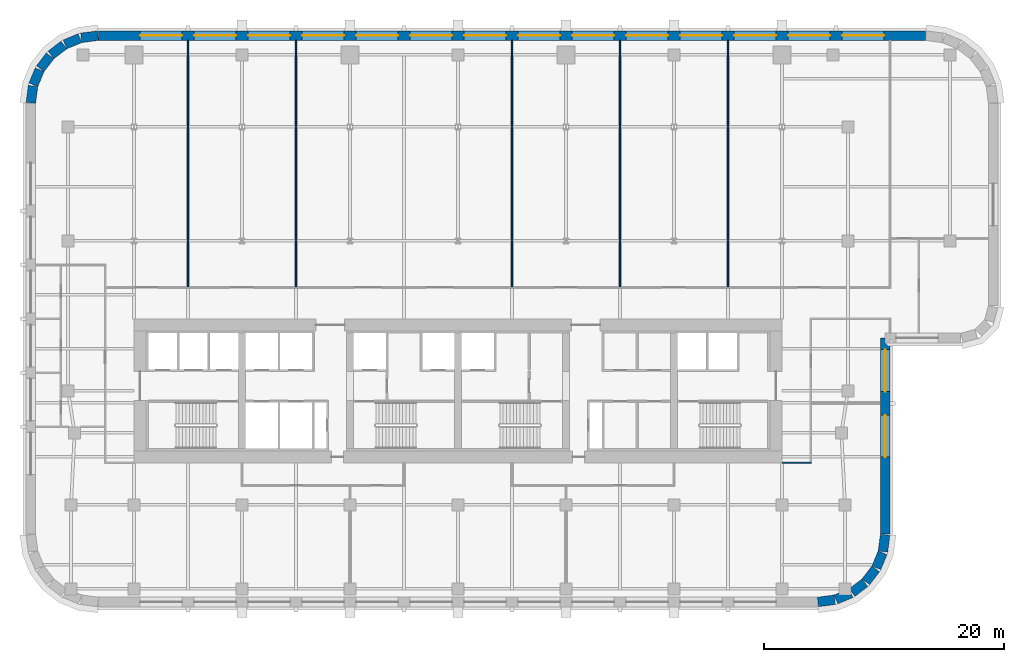
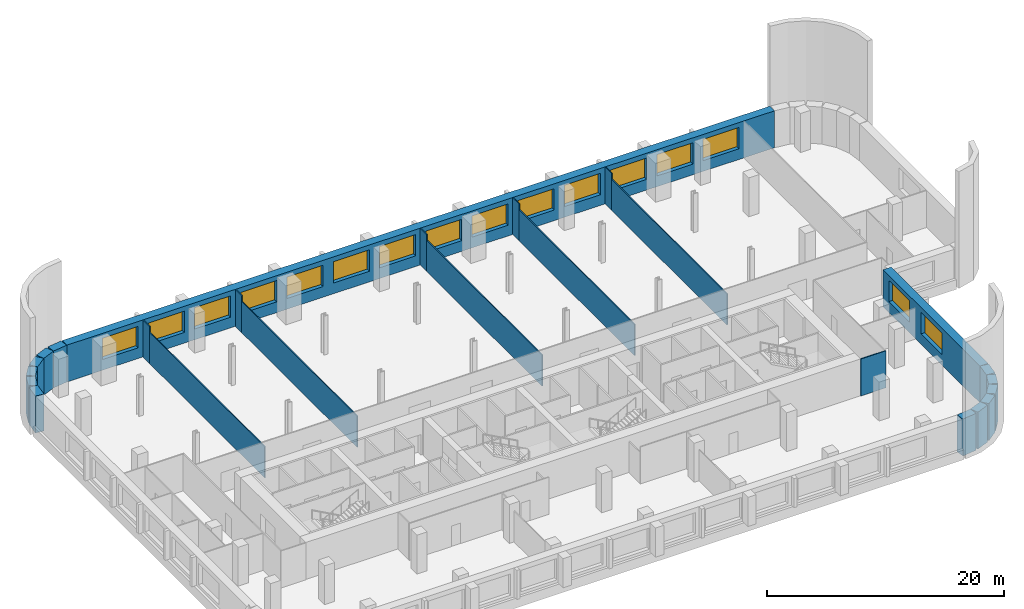
# One storey, part 6 of 9: 25 walls, 16 windows, 16 openings.
"""IFC4 building model written with IfcOpenShell, lengths in metres."""

from ifc_helpers import new_model, si_unit, direction, frame, frame_2d, origin, place, context, subcontext, project, spatial, rectangle, extrude, material, layer, layer_set, type_object, element, fill, save


model = new_model("IFC4")

# Units and contexts
model_context = context("Model", 3, precision=1e-05, world=origin(), true_north=direction((0.0, 1.0)))
body_context = subcontext(model_context, "Body", "Model", "MODEL_VIEW")
ifc_project = project(units=[si_unit("LENGTHUNIT", "METRE"), si_unit("AREAUNIT", "SQUARE_METRE"), si_unit("VOLUMEUNIT", "CUBIC_METRE"), si_unit("PLANEANGLEUNIT", "RADIAN"), si_unit("MASSUNIT", "GRAM", prefix="KILO")], contexts=[model_context])

# Site, building, storey
site_placement = place(None, origin())
site = spatial("IfcSite", under=ifc_project, at=site_placement, CompositionType="ELEMENT")
building_placement = place(site_placement, origin())
building = spatial("IfcBuilding", under=site, at=building_placement, Name="Zellij Exchange Tower", CompositionType="ELEMENT")
storey_placement = place(building_placement, frame((0.0, 0.0, 132.5)))
storey = spatial("IfcBuildingStorey", under=building, at=storey_placement, Name="L29", CompositionType="ELEMENT", Elevation=132.5)

# Walls
ifc_material_1 = material(Name="Precast concrete C40/50", Category="concrete")
ifc_layer_1 = layer(ifc_material_1, 0.800048828125)
ifc_layer_set_1 = layer_set([ifc_layer_1], Name="Precast concrete C40/50")
wall_type_1 = type_object("IfcWallType", Name="ENV-EW1 Precast stone-piered wall 800", PredefinedType="SOLIDWALL", material=ifc_layer_set_1)
wall_1_placement = place(storey_placement, frame((29.999755859375, -25.5966796875, 0.0), z_axis=(0.0, 0.0, 1.0), x_axis=(0.99144603414, 0.130517283865, 0.0)))
element("IfcWall", 1, at=wall_1_placement, inside=storey, type_object=wall_type_1, Name="fac.L29.01", PredefinedType="SOLIDWALL", context=body_context, shape_type="SweptSolid", body=[
    extrude(rectangle(XDim=1.408447265625, YDim=0.800048828125, at=frame_2d((0.7041015625, 0.0))), origin(), (0.0, 0.0, 1.0), 3.800048828125),
])
wall_2_placement = place(storey_placement, frame((31.497314453125, -25.3857421875, 0.0), z_axis=(0.0, 0.0, 1.0), x_axis=(0.923847774587, 0.38276009378, 0.0)))
element("IfcWall", 2, at=wall_2_placement, inside=storey, type_object=wall_type_1, Name="fac.L29.02", PredefinedType="SOLIDWALL", context=body_context, shape_type="SweptSolid", body=[
    extrude(rectangle(XDim=1.35546875, YDim=0.800048828125, at=frame_2d((0.677734375, 0.0))), origin(), (0.0, 0.0, 1.0), 3.800048828125),
])
for number, where, z_axis, x_axis, name in (
    (3, (32.840087890625, -24.814697265625, 0.0), (0.0, 0.0, 1.0), (0.793272915452, 0.608866226366, 0.0), "fac.L29.03"),
    (4, (33.9892578125, -23.91552734375, 0.0), (0.0, 0.0, 1.0), (0.608866226366, 0.793272915452, 0.0), "fac.L29.04"),
):
    element("IfcWall", number, at=place(storey_placement, frame(where, z_axis=z_axis, x_axis=x_axis)), inside=storey, type_object=wall_type_1, Name=name, PredefinedType="SOLIDWALL", context=body_context, shape_type="SweptSolid", body=[
        extrude(rectangle(XDim=1.355712890625, YDim=0.800048828125, at=frame_2d((0.677734375, 0.0))), origin(), (0.0, 0.0, 1.0), 3.800048828125),
    ])
wall_3_placement = place(storey_placement, frame((34.866943359375, -22.74951171875, 0.0), z_axis=(0.0, 0.0, 1.0), x_axis=(0.38276009378, 0.923847774587, 0.0)))
element("IfcWall", 5, at=wall_3_placement, inside=storey, type_object=wall_type_1, Name="fac.L29.05", PredefinedType="SOLIDWALL", context=body_context, shape_type="SweptSolid", body=[
    extrude(rectangle(XDim=1.35546875, YDim=0.800048828125, at=frame_2d((0.677734375, 0.0))), origin(), (0.0, 0.0, 1.0), 3.800048828125),
])
wall_4_placement = place(storey_placement, frame((35.412841796875, -21.396240234375, 0.0), z_axis=(0.0, 0.0, 1.0), x_axis=(0.130517283865, 0.99144603414, 0.0)))
element("IfcWall", 6, at=wall_4_placement, inside=storey, type_object=wall_type_1, Name="fac.L29.06", PredefinedType="SOLIDWALL", context=body_context, shape_type="SweptSolid", body=[
    extrude(rectangle(XDim=1.408447265625, YDim=0.800048828125, at=frame_2d((0.7041015625, 0.0))), origin(), (0.0, 0.0, 1.0), 3.800048828125),
])

# Wall, openings, windows
wall_5_placement = place(storey_placement, frame((35.60009765625, -19.947509765625, 0.0), z_axis=(0.0, 0.0, 1.0), x_axis=(0.0, 1.0, 0.0)))
wall_5 = element("IfcWall", 7, at=wall_5_placement, inside=storey, type_object=wall_type_1, Name="fac.L29.07", PredefinedType="SOLIDWALL", context=body_context, shape_type="SweptSolid", body=[
    extrude(rectangle(XDim=16.347412109375, YDim=0.800048828125, at=frame_2d((8.173828125, 0.0))), origin(), (0.0, 0.0, 1.0), 3.800048828125),
])
opening_1_placement = place(wall_5_placement, frame((6.41064453125, 0.0, 1.10009765625)))
opening_1 = element("IfcOpeningElement", 8, at=opening_1_placement, cuts=wall_5, Name="Opening FZ2.13", PredefinedType="OPENING", context=body_context, shape_type="SweptSolid", body=[
    extrude(rectangle(XDim=3.5, YDim=2.199951171875, at=frame_2d((1.75, 1.10009765625))), frame((0.0, 0.412109375, 0.0), z_axis=(0.0, -1.0, 0.0), x_axis=(1.0, 0.0, 0.0)), (0.0, 0.0, 1.0), 0.823974609375),
])
opening_2_placement = place(wall_5_placement, frame((11.86865234375, 0.0, 1.10009765625)))
opening_2 = element("IfcOpeningElement", 9, at=opening_2_placement, cuts=wall_5, Name="Opening FZ2.14", PredefinedType="OPENING", context=body_context, shape_type="SweptSolid", body=[
    extrude(rectangle(XDim=3.5, YDim=2.199951171875, at=frame_2d((1.75, 1.10009765625))), frame((0.0, 0.412109375, 0.0), z_axis=(0.0, -1.0, 0.0), x_axis=(1.0, 0.0, 0.0)), (0.0, 0.0, 1.0), 0.823974609375),
])
ifc_material_2 = material(Name="Aluminium frame with insulating glass", Category="aluminium")
window_type = type_object("IfcWindowType", Name="ENV-W7 Window 3500x2200", PartitioningType="SINGLE_PANEL", PredefinedType="WINDOW", material=ifc_material_2)
window_1_placement = place(opening_1_placement, origin())
window_1 = element("IfcWindow", 10, at=window_1_placement, inside=storey, type_object=window_type, Name="Window FZ2.13", OverallHeight=2.199951171875, OverallWidth=3.5, PartitioningType="SINGLE_PANEL", PredefinedType="WINDOW", context=body_context, shape_type="SweptSolid", body=[
    extrude(rectangle(XDim=3.5, YDim=2.199951171875, at=frame_2d((1.75, 1.10009765625))), frame((0.0, 0.030029296875, 0.0), z_axis=(0.0, -1.0, 0.0), x_axis=(1.0, 0.0, 0.0)), (0.0, 0.0, 1.0), 0.06005859375),
])
fill(opening_1, window_1)
window_2_placement = place(opening_2_placement, origin())
window_2 = element("IfcWindow", 11, at=window_2_placement, inside=storey, type_object=window_type, Name="Window FZ2.14", OverallHeight=2.199951171875, OverallWidth=3.5, PartitioningType="SINGLE_PANEL", PredefinedType="WINDOW", context=body_context, shape_type="SweptSolid", body=[
    extrude(rectangle(XDim=3.5, YDim=2.199951171875, at=frame_2d((1.75, 1.10009765625))), frame((0.0, 0.030029296875, 0.0), z_axis=(0.0, -1.0, 0.0), x_axis=(1.0, 0.0, 0.0)), (0.0, 0.0, 1.0), 0.06005859375),
])
fill(opening_2, window_2)

wall_6_placement = place(storey_placement, frame((38.947509765625, 21.60009765625, 0.0), z_axis=(0.0, 0.0, 1.0), x_axis=(-1.0, 0.0, 0.0)))
wall_6 = element("IfcWall", 12, at=wall_6_placement, inside=storey, type_object=wall_type_1, Name="fac.L29.19", PredefinedType="SOLIDWALL", context=body_context, shape_type="SweptSolid", body=[
    extrude(rectangle(XDim=68.89501953125, YDim=0.800048828125, at=frame_2d((34.447509765625, 0.0))), origin(), (0.0, 0.0, 1.0), 3.800048828125),
])
opening_3_placement = place(wall_6_placement, frame((3.447509765625, 0.0, 1.10009765625)))
opening_3 = element("IfcOpeningElement", 13, at=opening_3_placement, cuts=wall_6, Name="Opening FZ2.17", PredefinedType="OPENING", context=body_context, shape_type="SweptSolid", body=[
    extrude(rectangle(XDim=3.5, YDim=2.199951171875, at=frame_2d((1.75, 1.10009765625))), frame((0.0, 0.412109375, 0.0), z_axis=(0.0, -1.0, 0.0), x_axis=(1.0, 0.0, 0.0)), (0.0, 0.0, 1.0), 0.823974609375),
])
opening_4_placement = place(wall_6_placement, frame((7.947509765625, 0.0, 1.10009765625)))
opening_4 = element("IfcOpeningElement", 14, at=opening_4_placement, cuts=wall_6, Name="Opening FZ2.18", PredefinedType="OPENING", context=body_context, shape_type="SweptSolid", body=[
    extrude(rectangle(XDim=3.5, YDim=2.199951171875, at=frame_2d((1.75, 1.10009765625))), frame((0.0, 0.412109375, 0.0), z_axis=(0.0, -1.0, 0.0), x_axis=(1.0, 0.0, 0.0)), (0.0, 0.0, 1.0), 0.823974609375),
])
opening_5_placement = place(wall_6_placement, frame((12.447509765625, 0.0, 1.10009765625)))
opening_5 = element("IfcOpeningElement", 15, at=opening_5_placement, cuts=wall_6, Name="Opening FZ2.19", PredefinedType="OPENING", context=body_context, shape_type="SweptSolid", body=[
    extrude(rectangle(XDim=3.5, YDim=2.199951171875, at=frame_2d((1.75, 1.10009765625))), frame((0.0, 0.412109375, 0.0), z_axis=(0.0, -1.0, 0.0), x_axis=(1.0, 0.0, 0.0)), (0.0, 0.0, 1.0), 0.823974609375),
])
opening_6_placement = place(wall_6_placement, frame((16.947509765625, 0.0, 1.10009765625)))
opening_6 = element("IfcOpeningElement", 16, at=opening_6_placement, cuts=wall_6, Name="Opening FZ2.20", PredefinedType="OPENING", context=body_context, shape_type="SweptSolid", body=[
    extrude(rectangle(XDim=3.5, YDim=2.199951171875, at=frame_2d((1.75, 1.10009765625))), frame((0.0, 0.412109375, 0.0), z_axis=(0.0, -1.0, 0.0), x_axis=(1.0, 0.0, 0.0)), (0.0, 0.0, 1.0), 0.823974609375),
])
opening_7_placement = place(wall_6_placement, frame((21.447509765625, 0.0, 1.10009765625)))
opening_7 = element("IfcOpeningElement", 17, at=opening_7_placement, cuts=wall_6, Name="Opening FZ2.21", PredefinedType="OPENING", context=body_context, shape_type="SweptSolid", body=[
    extrude(rectangle(XDim=3.5, YDim=2.199951171875, at=frame_2d((1.75, 1.10009765625))), frame((0.0, 0.412109375, 0.0), z_axis=(0.0, -1.0, 0.0), x_axis=(1.0, 0.0, 0.0)), (0.0, 0.0, 1.0), 0.823974609375),
])
opening_8_placement = place(wall_6_placement, frame((25.947509765625, 0.0, 1.10009765625)))
opening_8 = element("IfcOpeningElement", 18, at=opening_8_placement, cuts=wall_6, Name="Opening FZ2.22", PredefinedType="OPENING", context=body_context, shape_type="SweptSolid", body=[
    extrude(rectangle(XDim=3.5, YDim=2.199951171875, at=frame_2d((1.75, 1.10009765625))), frame((0.0, 0.412109375, 0.0), z_axis=(0.0, -1.0, 0.0), x_axis=(1.0, 0.0, 0.0)), (0.0, 0.0, 1.0), 0.823974609375),
])
opening_9_placement = place(wall_6_placement, frame((30.447509765625, 0.0, 1.10009765625)))
opening_9 = element("IfcOpeningElement", 19, at=opening_9_placement, cuts=wall_6, Name="Opening FZ2.23", PredefinedType="OPENING", context=body_context, shape_type="SweptSolid", body=[
    extrude(rectangle(XDim=3.5, YDim=2.199951171875, at=frame_2d((1.75, 1.10009765625))), frame((0.0, 0.412109375, 0.0), z_axis=(0.0, -1.0, 0.0), x_axis=(1.0, 0.0, 0.0)), (0.0, 0.0, 1.0), 0.823974609375),
])
opening_10_placement = place(wall_6_placement, frame((34.947509765625, 0.0, 1.10009765625)))
opening_10 = element("IfcOpeningElement", 20, at=opening_10_placement, cuts=wall_6, Name="Opening FZ2.24", PredefinedType="OPENING", context=body_context, shape_type="SweptSolid", body=[
    extrude(rectangle(XDim=3.5, YDim=2.199951171875, at=frame_2d((1.75, 1.10009765625))), frame((0.0, 0.412109375, 0.0), z_axis=(0.0, -1.0, 0.0), x_axis=(1.0, 0.0, 0.0)), (0.0, 0.0, 1.0), 0.823974609375),
])
opening_11_placement = place(wall_6_placement, frame((39.447509765625, 0.0, 1.10009765625)))
opening_11 = element("IfcOpeningElement", 21, at=opening_11_placement, cuts=wall_6, Name="Opening FZ2.25", PredefinedType="OPENING", context=body_context, shape_type="SweptSolid", body=[
    extrude(rectangle(XDim=3.5, YDim=2.199951171875, at=frame_2d((1.75, 1.10009765625))), frame((0.0, 0.412109375, 0.0), z_axis=(0.0, -1.0, 0.0), x_axis=(1.0, 0.0, 0.0)), (0.0, 0.0, 1.0), 0.823974609375),
])
opening_12_placement = place(wall_6_placement, frame((43.947509765625, 0.0, 1.10009765625)))
opening_12 = element("IfcOpeningElement", 22, at=opening_12_placement, cuts=wall_6, Name="Opening FZ2.26", PredefinedType="OPENING", context=body_context, shape_type="SweptSolid", body=[
    extrude(rectangle(XDim=3.5, YDim=2.199951171875, at=frame_2d((1.75, 1.10009765625))), frame((0.0, 0.412109375, 0.0), z_axis=(0.0, -1.0, 0.0), x_axis=(1.0, 0.0, 0.0)), (0.0, 0.0, 1.0), 0.823974609375),
])
opening_13_placement = place(wall_6_placement, frame((48.447509765625, 0.0, 1.10009765625)))
opening_13 = element("IfcOpeningElement", 23, at=opening_13_placement, cuts=wall_6, Name="Opening FZ2.27", PredefinedType="OPENING", context=body_context, shape_type="SweptSolid", body=[
    extrude(rectangle(XDim=3.5, YDim=2.199951171875, at=frame_2d((1.75, 1.10009765625))), frame((0.0, 0.412109375, 0.0), z_axis=(0.0, -1.0, 0.0), x_axis=(1.0, 0.0, 0.0)), (0.0, 0.0, 1.0), 0.823974609375),
])
opening_14_placement = place(wall_6_placement, frame((52.947509765625, 0.0, 1.10009765625)))
opening_14 = element("IfcOpeningElement", 24, at=opening_14_placement, cuts=wall_6, Name="Opening FZ2.28", PredefinedType="OPENING", context=body_context, shape_type="SweptSolid", body=[
    extrude(rectangle(XDim=3.5, YDim=2.199951171875, at=frame_2d((1.75, 1.10009765625))), frame((0.0, 0.412109375, 0.0), z_axis=(0.0, -1.0, 0.0), x_axis=(1.0, 0.0, 0.0)), (0.0, 0.0, 1.0), 0.823974609375),
])
opening_15_placement = place(wall_6_placement, frame((57.447509765625, 0.0, 1.10009765625)))
opening_15 = element("IfcOpeningElement", 25, at=opening_15_placement, cuts=wall_6, Name="Opening FZ2.29", PredefinedType="OPENING", context=body_context, shape_type="SweptSolid", body=[
    extrude(rectangle(XDim=3.5, YDim=2.199951171875, at=frame_2d((1.75, 1.10009765625))), frame((0.0, 0.412109375, 0.0), z_axis=(0.0, -1.0, 0.0), x_axis=(1.0, 0.0, 0.0)), (0.0, 0.0, 1.0), 0.823974609375),
])
opening_16_placement = place(wall_6_placement, frame((61.947509765625, 0.0, 1.10009765625)))
opening_16 = element("IfcOpeningElement", 26, at=opening_16_placement, cuts=wall_6, Name="Opening FZ2.30", PredefinedType="OPENING", context=body_context, shape_type="SweptSolid", body=[
    extrude(rectangle(XDim=3.5, YDim=2.199951171875, at=frame_2d((1.75, 1.10009765625))), frame((0.0, 0.412109375, 0.0), z_axis=(0.0, -1.0, 0.0), x_axis=(1.0, 0.0, 0.0)), (0.0, 0.0, 1.0), 0.823974609375),
])
window_3_placement = place(opening_3_placement, origin())
window_3 = element("IfcWindow", 27, at=window_3_placement, inside=storey, type_object=window_type, Name="Window FZ2.17", OverallHeight=2.199951171875, OverallWidth=3.5, PartitioningType="SINGLE_PANEL", PredefinedType="WINDOW", context=body_context, shape_type="SweptSolid", body=[
    extrude(rectangle(XDim=3.5, YDim=2.199951171875, at=frame_2d((1.75, 1.10009765625))), frame((0.0, 0.030029296875, 0.0), z_axis=(0.0, -1.0, 0.0), x_axis=(1.0, 0.0, 0.0)), (0.0, 0.0, 1.0), 0.06005859375),
])
fill(opening_3, window_3)
window_4_placement = place(opening_4_placement, origin())
window_4 = element("IfcWindow", 28, at=window_4_placement, inside=storey, type_object=window_type, Name="Window FZ2.18", OverallHeight=2.199951171875, OverallWidth=3.5, PartitioningType="SINGLE_PANEL", PredefinedType="WINDOW", context=body_context, shape_type="SweptSolid", body=[
    extrude(rectangle(XDim=3.5, YDim=2.199951171875, at=frame_2d((1.75, 1.10009765625))), frame((0.0, 0.030029296875, 0.0), z_axis=(0.0, -1.0, 0.0), x_axis=(1.0, 0.0, 0.0)), (0.0, 0.0, 1.0), 0.06005859375),
])
fill(opening_4, window_4)
window_5_placement = place(opening_5_placement, origin())
window_5 = element("IfcWindow", 29, at=window_5_placement, inside=storey, type_object=window_type, Name="Window FZ2.19", OverallHeight=2.199951171875, OverallWidth=3.5, PartitioningType="SINGLE_PANEL", PredefinedType="WINDOW", context=body_context, shape_type="SweptSolid", body=[
    extrude(rectangle(XDim=3.5, YDim=2.199951171875, at=frame_2d((1.75, 1.10009765625))), frame((0.0, 0.030029296875, 0.0), z_axis=(0.0, -1.0, 0.0), x_axis=(1.0, 0.0, 0.0)), (0.0, 0.0, 1.0), 0.06005859375),
])
fill(opening_5, window_5)
window_6_placement = place(opening_6_placement, origin())
window_6 = element("IfcWindow", 30, at=window_6_placement, inside=storey, type_object=window_type, Name="Window FZ2.20", OverallHeight=2.199951171875, OverallWidth=3.5, PartitioningType="SINGLE_PANEL", PredefinedType="WINDOW", context=body_context, shape_type="SweptSolid", body=[
    extrude(rectangle(XDim=3.5, YDim=2.199951171875, at=frame_2d((1.75, 1.10009765625))), frame((0.0, 0.030029296875, 0.0), z_axis=(0.0, -1.0, 0.0), x_axis=(1.0, 0.0, 0.0)), (0.0, 0.0, 1.0), 0.06005859375),
])
fill(opening_6, window_6)
window_7_placement = place(opening_7_placement, origin())
window_7 = element("IfcWindow", 31, at=window_7_placement, inside=storey, type_object=window_type, Name="Window FZ2.21", OverallHeight=2.199951171875, OverallWidth=3.5, PartitioningType="SINGLE_PANEL", PredefinedType="WINDOW", context=body_context, shape_type="SweptSolid", body=[
    extrude(rectangle(XDim=3.5, YDim=2.199951171875, at=frame_2d((1.75, 1.10009765625))), frame((0.0, 0.030029296875, 0.0), z_axis=(0.0, -1.0, 0.0), x_axis=(1.0, 0.0, 0.0)), (0.0, 0.0, 1.0), 0.06005859375),
])
fill(opening_7, window_7)
window_8_placement = place(opening_8_placement, origin())
window_8 = element("IfcWindow", 32, at=window_8_placement, inside=storey, type_object=window_type, Name="Window FZ2.22", OverallHeight=2.199951171875, OverallWidth=3.5, PartitioningType="SINGLE_PANEL", PredefinedType="WINDOW", context=body_context, shape_type="SweptSolid", body=[
    extrude(rectangle(XDim=3.5, YDim=2.199951171875, at=frame_2d((1.75, 1.10009765625))), frame((0.0, 0.030029296875, 0.0), z_axis=(0.0, -1.0, 0.0), x_axis=(1.0, 0.0, 0.0)), (0.0, 0.0, 1.0), 0.06005859375),
])
fill(opening_8, window_8)
window_9_placement = place(opening_9_placement, origin())
window_9 = element("IfcWindow", 33, at=window_9_placement, inside=storey, type_object=window_type, Name="Window FZ2.23", OverallHeight=2.199951171875, OverallWidth=3.5, PartitioningType="SINGLE_PANEL", PredefinedType="WINDOW", context=body_context, shape_type="SweptSolid", body=[
    extrude(rectangle(XDim=3.5, YDim=2.199951171875, at=frame_2d((1.75, 1.10009765625))), frame((0.0, 0.030029296875, 0.0), z_axis=(0.0, -1.0, 0.0), x_axis=(1.0, 0.0, 0.0)), (0.0, 0.0, 1.0), 0.06005859375),
])
fill(opening_9, window_9)
window_10_placement = place(opening_10_placement, origin())
window_10 = element("IfcWindow", 34, at=window_10_placement, inside=storey, type_object=window_type, Name="Window FZ2.24", OverallHeight=2.199951171875, OverallWidth=3.5, PartitioningType="SINGLE_PANEL", PredefinedType="WINDOW", context=body_context, shape_type="SweptSolid", body=[
    extrude(rectangle(XDim=3.5, YDim=2.199951171875, at=frame_2d((1.75, 1.10009765625))), frame((0.0, 0.030029296875, 0.0), z_axis=(0.0, -1.0, 0.0), x_axis=(1.0, 0.0, 0.0)), (0.0, 0.0, 1.0), 0.06005859375),
])
fill(opening_10, window_10)
window_11_placement = place(opening_11_placement, origin())
window_11 = element("IfcWindow", 35, at=window_11_placement, inside=storey, type_object=window_type, Name="Window FZ2.25", OverallHeight=2.199951171875, OverallWidth=3.5, PartitioningType="SINGLE_PANEL", PredefinedType="WINDOW", context=body_context, shape_type="SweptSolid", body=[
    extrude(rectangle(XDim=3.5, YDim=2.199951171875, at=frame_2d((1.75, 1.10009765625))), frame((0.0, 0.030029296875, 0.0), z_axis=(0.0, -1.0, 0.0), x_axis=(1.0, 0.0, 0.0)), (0.0, 0.0, 1.0), 0.06005859375),
])
fill(opening_11, window_11)
window_12_placement = place(opening_12_placement, origin())
window_12 = element("IfcWindow", 36, at=window_12_placement, inside=storey, type_object=window_type, Name="Window FZ2.26", OverallHeight=2.199951171875, OverallWidth=3.5, PartitioningType="SINGLE_PANEL", PredefinedType="WINDOW", context=body_context, shape_type="SweptSolid", body=[
    extrude(rectangle(XDim=3.5, YDim=2.199951171875, at=frame_2d((1.75, 1.10009765625))), frame((0.0, 0.030029296875, 0.0), z_axis=(0.0, -1.0, 0.0), x_axis=(1.0, 0.0, 0.0)), (0.0, 0.0, 1.0), 0.06005859375),
])
fill(opening_12, window_12)
window_13_placement = place(opening_13_placement, origin())
window_13 = element("IfcWindow", 37, at=window_13_placement, inside=storey, type_object=window_type, Name="Window FZ2.27", OverallHeight=2.199951171875, OverallWidth=3.5, PartitioningType="SINGLE_PANEL", PredefinedType="WINDOW", context=body_context, shape_type="SweptSolid", body=[
    extrude(rectangle(XDim=3.5, YDim=2.199951171875, at=frame_2d((1.75, 1.10009765625))), frame((0.0, 0.030029296875, 0.0), z_axis=(0.0, -1.0, 0.0), x_axis=(1.0, 0.0, 0.0)), (0.0, 0.0, 1.0), 0.06005859375),
])
fill(opening_13, window_13)
window_14_placement = place(opening_14_placement, origin())
window_14 = element("IfcWindow", 38, at=window_14_placement, inside=storey, type_object=window_type, Name="Window FZ2.28", OverallHeight=2.199951171875, OverallWidth=3.5, PartitioningType="SINGLE_PANEL", PredefinedType="WINDOW", context=body_context, shape_type="SweptSolid", body=[
    extrude(rectangle(XDim=3.5, YDim=2.199951171875, at=frame_2d((1.75, 1.10009765625))), frame((0.0, 0.030029296875, 0.0), z_axis=(0.0, -1.0, 0.0), x_axis=(1.0, 0.0, 0.0)), (0.0, 0.0, 1.0), 0.06005859375),
])
fill(opening_14, window_14)
window_15_placement = place(opening_15_placement, origin())
window_15 = element("IfcWindow", 39, at=window_15_placement, inside=storey, type_object=window_type, Name="Window FZ2.29", OverallHeight=2.199951171875, OverallWidth=3.5, PartitioningType="SINGLE_PANEL", PredefinedType="WINDOW", context=body_context, shape_type="SweptSolid", body=[
    extrude(rectangle(XDim=3.5, YDim=2.199951171875, at=frame_2d((1.75, 1.10009765625))), frame((0.0, 0.030029296875, 0.0), z_axis=(0.0, -1.0, 0.0), x_axis=(1.0, 0.0, 0.0)), (0.0, 0.0, 1.0), 0.06005859375),
])
fill(opening_15, window_15)
window_16_placement = place(opening_16_placement, origin())
window_16 = element("IfcWindow", 40, at=window_16_placement, inside=storey, type_object=window_type, Name="Window FZ2.30", OverallHeight=2.199951171875, OverallWidth=3.5, PartitioningType="SINGLE_PANEL", PredefinedType="WINDOW", context=body_context, shape_type="SweptSolid", body=[
    extrude(rectangle(XDim=3.5, YDim=2.199951171875, at=frame_2d((1.75, 1.10009765625))), frame((0.0, 0.030029296875, 0.0), z_axis=(0.0, -1.0, 0.0), x_axis=(1.0, 0.0, 0.0)), (0.0, 0.0, 1.0), 0.06005859375),
])
fill(opening_16, window_16)

# Walls
wall_7_placement = place(storey_placement, frame((-29.999755859375, 21.5966796875, 0.0), z_axis=(0.0, 0.0, 1.0), x_axis=(-0.99144603414, -0.130517283865, 0.0)))
element("IfcWall", 41, at=wall_7_placement, inside=storey, type_object=wall_type_1, Name="fac.L29.20", PredefinedType="SOLIDWALL", context=body_context, shape_type="SweptSolid", body=[
    extrude(rectangle(XDim=1.408447265625, YDim=0.800048828125, at=frame_2d((0.7041015625, 0.0))), origin(), (0.0, 0.0, 1.0), 3.800048828125),
])
wall_8_placement = place(storey_placement, frame((-31.497314453125, 21.3857421875, 0.0), z_axis=(0.0, 0.0, 1.0), x_axis=(-0.923847774587, -0.38276009378, 0.0)))
element("IfcWall", 42, at=wall_8_placement, inside=storey, type_object=wall_type_1, Name="fac.L29.21", PredefinedType="SOLIDWALL", context=body_context, shape_type="SweptSolid", body=[
    extrude(rectangle(XDim=1.35546875, YDim=0.800048828125, at=frame_2d((0.677734375, 0.0))), origin(), (0.0, 0.0, 1.0), 3.800048828125),
])
for number, where, z_axis, x_axis, name in (
    (43, (-32.840087890625, 20.814697265625, 0.0), (0.0, 0.0, 1.0), (-0.793272915452, -0.608866226366, 0.0), "fac.L29.22"),
    (44, (-33.9892578125, 19.91552734375, 0.0), (0.0, 0.0, 1.0), (-0.608866226366, -0.793272915452, 0.0), "fac.L29.23"),
):
    element("IfcWall", number, at=place(storey_placement, frame(where, z_axis=z_axis, x_axis=x_axis)), inside=storey, type_object=wall_type_1, Name=name, PredefinedType="SOLIDWALL", context=body_context, shape_type="SweptSolid", body=[
        extrude(rectangle(XDim=1.355712890625, YDim=0.800048828125, at=frame_2d((0.677734375, 0.0))), origin(), (0.0, 0.0, 1.0), 3.800048828125),
    ])
wall_9_placement = place(storey_placement, frame((-34.866943359375, 18.74951171875, 0.0), z_axis=(0.0, 0.0, 1.0), x_axis=(-0.38276009378, -0.923847774587, 0.0)))
element("IfcWall", 45, at=wall_9_placement, inside=storey, type_object=wall_type_1, Name="fac.L29.24", PredefinedType="SOLIDWALL", context=body_context, shape_type="SweptSolid", body=[
    extrude(rectangle(XDim=1.35546875, YDim=0.800048828125, at=frame_2d((0.677734375, 0.0))), origin(), (0.0, 0.0, 1.0), 3.800048828125),
])
wall_10_placement = place(storey_placement, frame((-35.412841796875, 17.396240234375, 0.0), z_axis=(0.0, 0.0, 1.0), x_axis=(-0.130517283865, -0.99144603414, 0.0)))
element("IfcWall", 46, at=wall_10_placement, inside=storey, type_object=wall_type_1, Name="fac.L29.25", PredefinedType="SOLIDWALL", context=body_context, shape_type="SweptSolid", body=[
    extrude(rectangle(XDim=1.408447265625, YDim=0.800048828125, at=frame_2d((0.7041015625, 0.0))), origin(), (0.0, 0.0, 1.0), 3.800048828125),
])
ifc_material_3 = material(Name="Gypsum board partition on steel studs", Category="steel")
ifc_layer_2 = layer(ifc_material_3, 0.10009765625)
ifc_layer_set_2 = layer_set([ifc_layer_2], Name="Gypsum board partition on steel studs")
wall_type_2 = type_object("IfcWallType", Name="FIT-PARTITION-100", PredefinedType="PARTITIONING", material=ifc_layer_set_2)
wall_11_placement = place(storey_placement, frame((27.0, -14.0, 0.0), z_axis=(0.0, 0.0, 1.0), x_axis=(1.0, 0.0, 0.0)))
element("IfcWall", 47, at=wall_11_placement, inside=storey, type_object=wall_type_2, Name="FIT-PARTITION-100 013", PredefinedType="PARTITIONING", context=body_context, shape_type="SweptSolid", body=[
    extrude(rectangle(XDim=2.449951171875, YDim=0.10009765625, at=frame_2d((1.22509765625, 0.0))), origin(), (0.0, 0.0, 1.0), 3.800048828125),
])
wall_12_placement = place(storey_placement, frame((-22.5, 0.64990234375, 0.0), z_axis=(0.0, 0.0, 1.0), x_axis=(0.0, 1.0, 0.0)))
element("IfcWall", 48, at=wall_12_placement, inside=storey, type_object=wall_type_2, Name="FIT-PARTITION-100 025", PredefinedType="PARTITIONING", context=body_context, shape_type="SweptSolid", body=[
    extrude(rectangle(XDim=19.464599609375, YDim=0.10009765625, at=frame_2d((9.732421875, 0.0))), origin(), (0.0, 0.0, 1.0), 3.197998046875),
])
wall_13_placement = place(storey_placement, frame((-22.5, 20.114501953125, 0.0), z_axis=(0.0, 0.0, 1.0), x_axis=(0.0, 1.0, 0.0)))
element("IfcWall", 49, at=wall_13_placement, inside=storey, type_object=wall_type_2, Name="FIT-PARTITION-100 026", PredefinedType="PARTITIONING", context=body_context, shape_type="SweptSolid", body=[
    extrude(rectangle(XDim=1.08544921875, YDim=0.10009765625, at=frame_2d((0.542724609375, 0.0))), origin(), (0.0, 0.0, 1.0), 3.800048828125),
])
wall_14_placement = place(storey_placement, frame((-13.5, 0.64990234375, 0.0), z_axis=(0.0, 0.0, 1.0), x_axis=(0.0, 1.0, 0.0)))
element("IfcWall", 50, at=wall_14_placement, inside=storey, type_object=wall_type_2, Name="FIT-PARTITION-100 027", PredefinedType="PARTITIONING", context=body_context, shape_type="SweptSolid", body=[
    extrude(rectangle(XDim=19.464599609375, YDim=0.10009765625, at=frame_2d((9.732421875, 0.0))), origin(), (0.0, 0.0, 1.0), 3.197998046875),
])
wall_15_placement = place(storey_placement, frame((-13.5, 20.114501953125, 0.0), z_axis=(0.0, 0.0, 1.0), x_axis=(0.0, 1.0, 0.0)))
element("IfcWall", 51, at=wall_15_placement, inside=storey, type_object=wall_type_2, Name="FIT-PARTITION-100 028", PredefinedType="PARTITIONING", context=body_context, shape_type="SweptSolid", body=[
    extrude(rectangle(XDim=1.08544921875, YDim=0.10009765625, at=frame_2d((0.542724609375, 0.0))), origin(), (0.0, 0.0, 1.0), 3.800048828125),
])
wall_16_placement = place(storey_placement, frame((4.5, 0.64990234375, 0.0), z_axis=(0.0, 0.0, 1.0), x_axis=(0.0, 1.0, 0.0)))
element("IfcWall", 52, at=wall_16_placement, inside=storey, type_object=wall_type_2, Name="FIT-PARTITION-100 029", PredefinedType="PARTITIONING", context=body_context, shape_type="SweptSolid", body=[
    extrude(rectangle(XDim=19.464599609375, YDim=0.10009765625, at=frame_2d((9.732421875, 0.0))), origin(), (0.0, 0.0, 1.0), 3.197998046875),
])
wall_17_placement = place(storey_placement, frame((4.5, 20.114501953125, 0.0), z_axis=(0.0, 0.0, 1.0), x_axis=(0.0, 1.0, 0.0)))
element("IfcWall", 53, at=wall_17_placement, inside=storey, type_object=wall_type_2, Name="FIT-PARTITION-100 030", PredefinedType="PARTITIONING", context=body_context, shape_type="SweptSolid", body=[
    extrude(rectangle(XDim=1.08544921875, YDim=0.10009765625, at=frame_2d((0.542724609375, 0.0))), origin(), (0.0, 0.0, 1.0), 3.800048828125),
])
wall_18_placement = place(storey_placement, frame((13.5, 0.64990234375, 0.0), z_axis=(0.0, 0.0, 1.0), x_axis=(0.0, 1.0, 0.0)))
element("IfcWall", 54, at=wall_18_placement, inside=storey, type_object=wall_type_2, Name="FIT-PARTITION-100 031", PredefinedType="PARTITIONING", context=body_context, shape_type="SweptSolid", body=[
    extrude(rectangle(XDim=19.464599609375, YDim=0.10009765625, at=frame_2d((9.732421875, 0.0))), origin(), (0.0, 0.0, 1.0), 3.197998046875),
])
wall_19_placement = place(storey_placement, frame((13.5, 20.114501953125, 0.0), z_axis=(0.0, 0.0, 1.0), x_axis=(0.0, 1.0, 0.0)))
element("IfcWall", 55, at=wall_19_placement, inside=storey, type_object=wall_type_2, Name="FIT-PARTITION-100 032", PredefinedType="PARTITIONING", context=body_context, shape_type="SweptSolid", body=[
    extrude(rectangle(XDim=1.08544921875, YDim=0.10009765625, at=frame_2d((0.542724609375, 0.0))), origin(), (0.0, 0.0, 1.0), 3.800048828125),
])
wall_20_placement = place(storey_placement, frame((22.5, 0.64990234375, 0.0), z_axis=(0.0, 0.0, 1.0), x_axis=(0.0, 1.0, 0.0)))
element("IfcWall", 56, at=wall_20_placement, inside=storey, type_object=wall_type_2, Name="FIT-PARTITION-100 033", PredefinedType="PARTITIONING", context=body_context, shape_type="SweptSolid", body=[
    extrude(rectangle(XDim=19.464599609375, YDim=0.10009765625, at=frame_2d((9.732421875, 0.0))), origin(), (0.0, 0.0, 1.0), 3.197998046875),
])
wall_21_placement = place(storey_placement, frame((22.5, 20.114501953125, 0.0), z_axis=(0.0, 0.0, 1.0), x_axis=(0.0, 1.0, 0.0)))
element("IfcWall", 57, at=wall_21_placement, inside=storey, type_object=wall_type_2, Name="FIT-PARTITION-100 034", PredefinedType="PARTITIONING", context=body_context, shape_type="SweptSolid", body=[
    extrude(rectangle(XDim=1.08544921875, YDim=0.10009765625, at=frame_2d((0.542724609375, 0.0))), origin(), (0.0, 0.0, 1.0), 3.800048828125),
])

save(model, "model.ifc")
